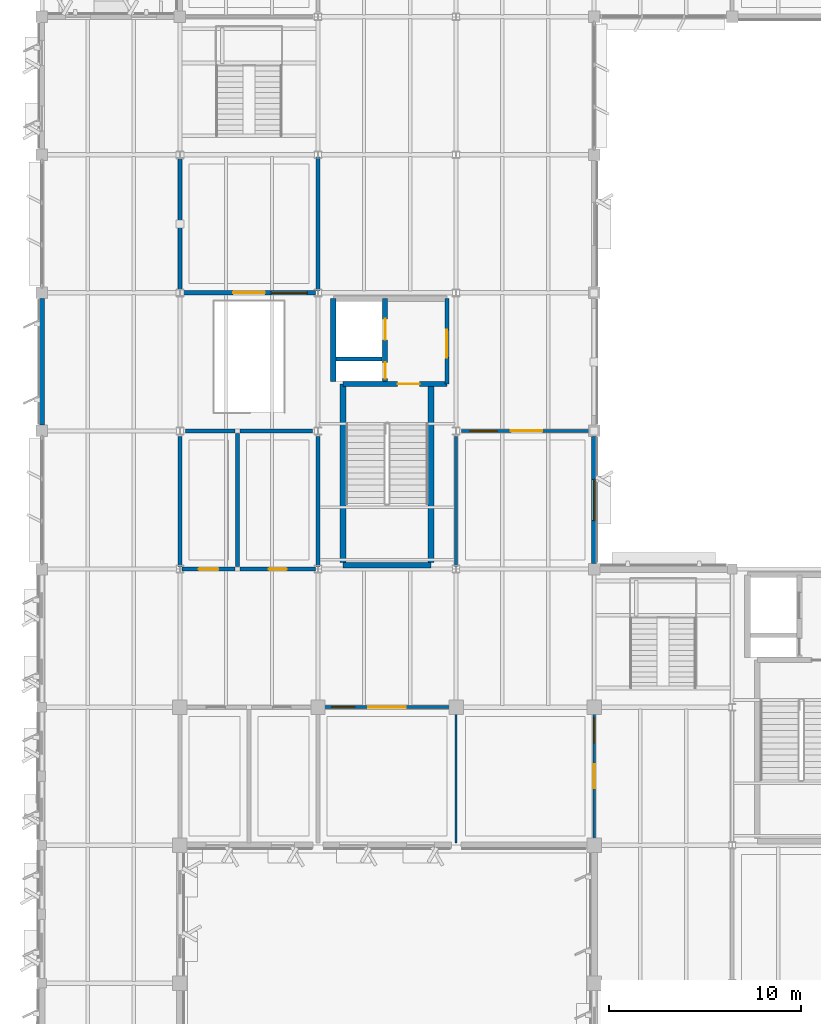
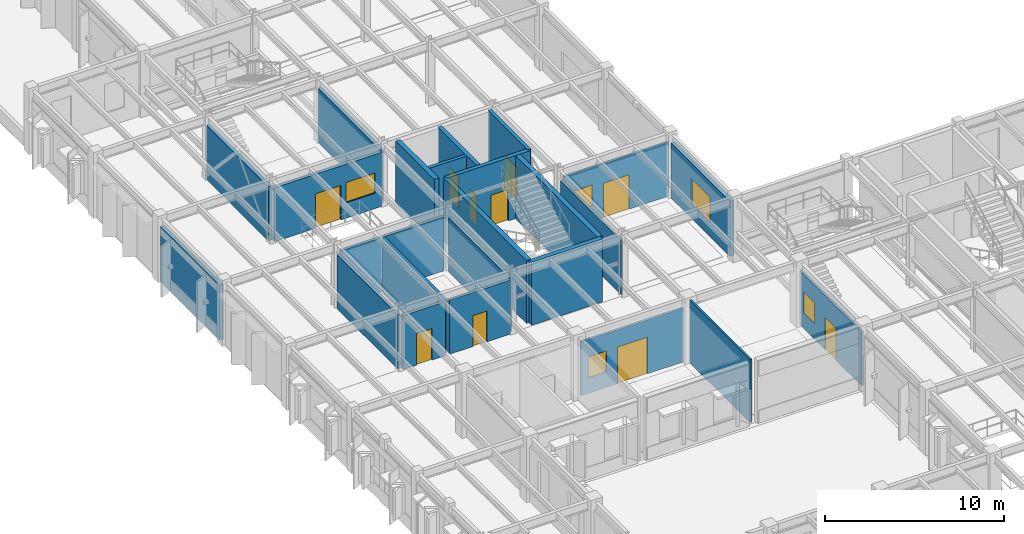
# One storey, part 33 of 92: 25 walls, 10 doors, 5 windows, 15 openings.
"""IFC4 building model written with IfcOpenShell, lengths in metres."""

from ifc_helpers import new_model, si_unit, direction, frame, frame_2d, origin, place, context, subcontext, project, spatial, rectangle, extrude, material, layer, layer_set, type_object, element, fill, save


model = new_model("IFC4")

# Units and contexts
model_context = context("Model", 3, precision=1e-05, world=origin(), true_north=direction((0.0, 1.0)))
body_context = subcontext(model_context, "Body", "Model", "MODEL_VIEW")
ifc_project = project(units=[si_unit("LENGTHUNIT", "METRE"), si_unit("AREAUNIT", "SQUARE_METRE"), si_unit("VOLUMEUNIT", "CUBIC_METRE"), si_unit("PLANEANGLEUNIT", "RADIAN"), si_unit("MASSUNIT", "GRAM", prefix="KILO")], contexts=[model_context])

# Site, building, storey
site_placement = place(None, origin())
site = spatial("IfcSite", under=ifc_project, at=site_placement, CompositionType="ELEMENT")
building_placement = place(site_placement, origin())
building = spatial("IfcBuilding", under=site, at=building_placement, Name="Sillqori Civic Hall", CompositionType="ELEMENT")
storey_placement = place(building_placement, frame((0.0, 0.0, 5.39990234375)))
storey = spatial("IfcBuildingStorey", under=building, at=storey_placement, Name="L02", CompositionType="ELEMENT", Elevation=5.39990234375)

# Wall
ifc_material_1 = material(Name="Concrete C35/45 (H35)", Category="concrete")
ifc_layer_1 = layer(ifc_material_1, 0.219970703125)
ifc_layer_set_1 = layer_set([ifc_layer_1], Name="Concrete C35/45 (H35)")
wall_type_1 = type_object("IfcWallType", Name="CW-SHR-220", PredefinedType="SHEAR", material=ifc_layer_set_1)
wall_1_placement = place(storey_placement, frame((22.550048828125, 61.35009765625, 0.0), z_axis=(0.0, 0.0, 1.0), x_axis=(1.0, 0.0, 0.0)))
element("IfcWall", 1, at=wall_1_placement, inside=storey, type_object=wall_type_1, Name="L02 C4 Lift-riser divider wall", PredefinedType="SHEAR", context=body_context, shape_type="SweptSolid", body=[
    extrude(rectangle(XDim=2.39990234375, YDim=0.219970703125, at=frame_2d((1.199951171875, 0.0))), origin(), (0.0, 0.0, 1.0), 4.300048828125),
])

# Wall, opening, door
wall_2_placement = place(storey_placement, frame((28.320068359375, 64.5, 0.0), z_axis=(0.0, 0.0, 1.0), x_axis=(0.0, -1.0, 0.0)))
wall_2 = element("IfcWall", 2, at=wall_2_placement, inside=storey, type_object=wall_type_1, Name="L02 C4 firefighting lobby enclosure wall", PredefinedType="SHEAR", context=body_context, shape_type="SweptSolid", body=[
    extrude(rectangle(XDim=4.449951171875, YDim=0.219970703125, at=frame_2d((2.22509765625, 0.0))), origin(), (0.0, 0.0, 1.0), 4.300048828125),
])
opening_1_placement = place(wall_2_placement, frame((1.625, 0.0, 0.0)))
opening_1 = element("IfcOpeningElement", 3, at=opening_1_placement, cuts=wall_2, Name="Opening FD-03", PredefinedType="OPENING", context=body_context, shape_type="SweptSolid", body=[
    extrude(rectangle(XDim=1.449951171875, YDim=2.199951171875, at=frame_2d((0.72509765625, 1.10009765625))), frame((0.0, 0.119873046875, 0.0), z_axis=(0.0, -1.0, 0.0), x_axis=(1.0, 0.0, 0.0)), (0.0, 0.0, 1.0), 0.239990234375),
])
ifc_material_2 = material(Name="Double-Leaf Smoke-Seal Lobby Door", Category="steel")
door_type_1 = type_object("IfcDoorType", Name="FDR-LOB-145X220", OperationType="NOTDEFINED", PredefinedType="DOOR", material=ifc_material_2)
door_1_placement = place(opening_1_placement, origin())
door_1 = element("IfcDoor", 4, at=door_1_placement, inside=storey, type_object=door_type_1, Name="L02 C4 firefighting lobby exit door", OperationType="DOUBLE_DOOR_SINGLE_SWING", OverallHeight=2.199951171875, OverallWidth=1.449951171875, PredefinedType="DOOR", context=body_context, shape_type="SweptSolid", body=[
    extrude(rectangle(XDim=1.449951171875, YDim=2.199951171875, at=frame_2d((0.72509765625, 1.10009765625))), frame((0.0, 0.02490234375, 0.0), z_axis=(0.0, -1.0, 0.0), x_axis=(1.0, 0.0, 0.0)), (0.0, 0.0, 1.0), 0.050048828125),
])
fill(opening_1, door_1)

ifc_layer_2 = layer(ifc_material_1, 0.260009765625)
ifc_layer_set_2 = layer_set([ifc_layer_2], Name="Concrete C35/45 (H35)")
wall_type_2 = type_object("IfcWallType", Name="CW-SHR-260", PredefinedType="SHEAR", material=ifc_layer_set_2)
wall_3_placement = place(storey_placement, frame((22.909912109375, 60.050048828125, 0.0), z_axis=(0.0, 0.0, 1.0), x_axis=(1.0, 0.0, 0.0)))
wall_3 = element("IfcWall", 5, at=wall_3_placement, inside=storey, type_object=wall_type_2, Name="L02 C4 Stair-lobby fire wall", PredefinedType="SHEAR", context=body_context, shape_type="SweptSolid", body=[
    extrude(rectangle(XDim=5.41015625, YDim=0.260009765625, at=frame_2d((2.705078125, 0.0))), origin(), (0.0, 0.0, 1.0), 4.300048828125),
])
opening_2_placement = place(wall_3_placement, frame((2.840087890625, 0.0, 0.0)))
opening_2 = element("IfcOpeningElement", 6, at=opening_2_placement, cuts=wall_3, Name="Opening FD-01", PredefinedType="OPENING", context=body_context, shape_type="SweptSolid", body=[
    extrude(rectangle(XDim=1.14990234375, YDim=2.14990234375, at=frame_2d((0.574951171875, 1.074951171875))), frame((0.0, 0.139892578125, 0.0), z_axis=(0.0, -1.0, 0.0), x_axis=(1.0, 0.0, 0.0)), (0.0, 0.0, 1.0), 0.280029296875),
])
ifc_material_3 = material(Name="Galvanized Steel Fire Door FD90S", Category="steel")
door_type_2 = type_object("IfcDoorType", Name="FDR-STR-115X215", OperationType="NOTDEFINED", PredefinedType="DOOR", material=ifc_material_3)
door_2_placement = place(opening_2_placement, origin())
door_2 = element("IfcDoor", 7, at=door_2_placement, inside=storey, type_object=door_type_2, Name="L02 stair ST-04 fire door", OperationType="SINGLE_SWING_RIGHT", OverallHeight=2.14990234375, OverallWidth=1.14990234375, PredefinedType="DOOR", context=body_context, shape_type="SweptSolid", body=[
    extrude(rectangle(XDim=1.14990234375, YDim=2.14990234375, at=frame_2d((0.574951171875, 1.074951171875))), frame((0.0, 0.02490234375, 0.0), z_axis=(0.0, -1.0, 0.0), x_axis=(1.0, 0.0, 0.0)), (0.0, 0.0, 1.0), 0.050048828125),
])
fill(opening_2, door_2)

# Wall, openings, doors
wall_4_placement = place(storey_placement, frame((25.10009765625, 64.5, 0.0), z_axis=(0.0, 0.0, 1.0), x_axis=(0.0, -1.0, 0.0)))
wall_4 = element("IfcWall", 8, at=wall_4_placement, inside=storey, type_object=wall_type_2, Name="L02 C4 Lift landing & riser front wall", PredefinedType="SHEAR", context=body_context, shape_type="SweptSolid", body=[
    extrude(rectangle(XDim=4.320068359375, YDim=0.260009765625, at=frame_2d((2.16015625, 0.0))), origin(), (0.0, 0.0, 1.0), 4.300048828125),
])
opening_3_placement = place(wall_4_placement, frame((1.050048828125, 0.0, 0.0)))
opening_3 = element("IfcOpeningElement", 9, at=opening_3_placement, cuts=wall_4, Name="Opening LD-01", PredefinedType="OPENING", context=body_context, shape_type="SweptSolid", body=[
    extrude(rectangle(XDim=1.10009765625, YDim=2.14990234375, at=frame_2d((0.550048828125, 1.074951171875))), frame((0.0, 0.139892578125, 0.0), z_axis=(0.0, -1.0, 0.0), x_axis=(1.0, 0.0, 0.0)), (0.0, 0.0, 1.0), 0.280029296875),
])
opening_4_placement = place(wall_4_placement, frame((3.324951171875, 0.0, 0.0)))
opening_4 = element("IfcOpeningElement", 10, at=opening_4_placement, cuts=wall_4, Name="Opening FD-05", PredefinedType="OPENING", context=body_context, shape_type="SweptSolid", body=[
    extrude(rectangle(XDim=0.85009765625, YDim=2.050048828125, at=frame_2d((0.425048828125, 1.02490234375))), frame((0.0, 0.139892578125, 0.0), z_axis=(0.0, -1.0, 0.0), x_axis=(1.0, 0.0, 0.0)), (0.0, 0.0, 1.0), 0.280029296875),
])
ifc_material_4 = material(Name="Steel Riser Access Fire Door", Category="steel")
door_type_3 = type_object("IfcDoorType", Name="FDR-RSR-085X205", OperationType="NOTDEFINED", PredefinedType="DOOR", material=ifc_material_4)
door_3_placement = place(opening_4_placement, origin())
door_3 = element("IfcDoor", 11, at=door_3_placement, inside=storey, type_object=door_type_3, Name="L02 MEP riser C4 fire access door", OperationType="SINGLE_SWING_LEFT", OverallHeight=2.050048828125, OverallWidth=0.85009765625, PredefinedType="DOOR", context=body_context, shape_type="SweptSolid", body=[
    extrude(rectangle(XDim=0.85009765625, YDim=2.050048828125, at=frame_2d((0.425048828125, 1.02490234375))), frame((0.0, 0.02490234375, 0.0), z_axis=(0.0, -1.0, 0.0), x_axis=(1.0, 0.0, 0.0)), (0.0, 0.0, 1.0), 0.050048828125),
])
fill(opening_4, door_3)
ifc_material_5 = material(Name="Stainless Steel Lift Landing Door", Category="steel")
door_type_4 = type_object("IfcDoorType", Name="LDR-PASS-110X215", OperationType="NOTDEFINED", PredefinedType="DOOR", material=ifc_material_5)
door_4_placement = place(opening_3_placement, origin())
door_4 = element("IfcDoor", 12, at=door_4_placement, inside=storey, type_object=door_type_4, Name="L02 lift LF-06 sliding landing door", OperationType="DOUBLE_DOOR_SLIDING", OverallHeight=2.14990234375, OverallWidth=1.10009765625, PredefinedType="DOOR", context=body_context, shape_type="SweptSolid", body=[
    extrude(rectangle(XDim=1.10009765625, YDim=2.14990234375, at=frame_2d((0.550048828125, 1.074951171875))), frame((0.0, 0.02490234375, 0.0), z_axis=(0.0, -1.0, 0.0), x_axis=(1.0, 0.0, 0.0)), (0.0, 0.0, 1.0), 0.050048828125),
])
fill(opening_3, door_4)

# Walls
ifc_layer_3 = layer(ifc_material_1, 0.300048828125)
ifc_layer_set_3 = layer_set([ifc_layer_3], Name="Concrete C35/45 (H35)")
wall_type_3 = type_object("IfcWallType", Name="CW-SHR-300", PredefinedType="SHEAR", material=ifc_layer_set_3)
wall_5_placement = place(storey_placement, frame((22.909912109375, 50.60009765625, 0.0), z_axis=(0.0, 0.0, 1.0), x_axis=(1.0, 0.0, 0.0)))
element("IfcWall", 13, at=wall_5_placement, inside=storey, type_object=wall_type_3, Name="L02 C4 Stair south shear wall", PredefinedType="SHEAR", context=body_context, shape_type="SweptSolid", body=[
    extrude(rectangle(XDim=4.580078125, YDim=0.300048828125, at=frame_2d((2.2900390625, 0.0))), origin(), (0.0, 0.0, 1.0), 4.300048828125),
])
for number, where, z_axis, x_axis, name in (
    (14, (22.909912109375, 50.75, 0.0), (0.0, 0.0, 1.0), (0.0, 1.0, 0.0), "L02 C4 Stair west shear wall"),
    (15, (27.489990234375, 50.75, 0.0), (0.0, 0.0, 1.0), (0.0, 1.0, 0.0), "L02 C4 Stair east shear wall"),
):
    element("IfcWall", number, at=place(storey_placement, frame(where, z_axis=z_axis, x_axis=x_axis)), inside=storey, type_object=wall_type_3, Name=name, PredefinedType="SHEAR", context=body_context, shape_type="SweptSolid", body=[
        extrude(rectangle(XDim=9.300048828125, YDim=0.300048828125, at=frame_2d((4.64990234375, 0.0))), origin(), (0.0, 0.0, 1.0), 4.300048828125),
    ])
wall_6_placement = place(storey_placement, frame((22.39990234375, 60.179931640625, 0.0), z_axis=(0.0, 0.0, 1.0), x_axis=(0.0, 1.0, 0.0)))
element("IfcWall", 16, at=wall_6_placement, inside=storey, type_object=wall_type_3, Name="L02 C4 Lift shaft west shear wall", PredefinedType="SHEAR", context=body_context, shape_type="SweptSolid", body=[
    extrude(rectangle(XDim=4.320068359375, YDim=0.300048828125, at=frame_2d((2.16015625, 0.0))), origin(), (0.0, 0.0, 1.0), 4.300048828125),
])
ifc_material_6 = material(Name="Concrete C30/37 (H30)", Category="concrete")
ifc_layer_4 = layer(ifc_material_6, 0.260009765625)
ifc_layer_set_4 = layer_set([ifc_layer_4], Name="Concrete C30/37 (H30)")
wall_type_4 = type_object("IfcWallType", Name="EW-MAS-260", PredefinedType="SOLIDWALL", material=ifc_layer_set_4)
wall_7_placement = place(storey_placement, frame((7.199951171875, 57.89990234375, 0.0), z_axis=(0.0, 0.0, 1.0), x_axis=(0.0, 1.0, 0.0)))
element("IfcWall", 17, at=wall_7_placement, inside=storey, type_object=wall_type_4, Name="L02 V5 exterior wall L02-01-08-W", PredefinedType="SOLIDWALL", context=body_context, shape_type="SweptSolid", body=[
    extrude(rectangle(XDim=6.60009765625, YDim=0.260009765625, at=frame_2d((3.300048828125, 0.0))), origin(), (0.0, 0.0, 1.0), 3.76708984375),
])

# Wall, opening, window
wall_8_placement = place(storey_placement, frame((36.0, 57.300048828125, 0.0), z_axis=(0.0, 0.0, 1.0), x_axis=(0.0, -1.0, 0.0)))
wall_8 = element("IfcWall", 18, at=wall_8_placement, inside=storey, type_object=wall_type_4, Name="L02 V5 exterior wall L02-04-07-E", PredefinedType="SOLIDWALL", context=body_context, shape_type="SweptSolid", body=[
    extrude(rectangle(XDim=6.60009765625, YDim=0.260009765625, at=frame_2d((3.300048828125, 0.0))), origin(), (0.0, 0.0, 1.0), 3.76708984375),
])
opening_5_placement = place(wall_8_placement, frame((2.22509765625, 0.0, 0.949951171875)))
opening_5 = element("IfcOpeningElement", 19, at=opening_5_placement, cuts=wall_8, Name="Opening W-50", PredefinedType="OPENING", context=body_context, shape_type="SweptSolid", body=[
    extrude(rectangle(XDim=2.14990234375, YDim=1.75, at=frame_2d((1.074951171875, 0.875))), frame((0.0, 0.139892578125, 0.0), z_axis=(0.0, -1.0, 0.0), x_axis=(1.0, 0.0, 0.0)), (0.0, 0.0, 1.0), 0.280029296875),
])
ifc_material_7 = material(Name="Thermally Broken Aluminium Low-E Window", Category="aluminium")
window_type_1 = type_object("IfcWindowType", Name="WIN-GD-215X175", PartitioningType="SINGLE_PANEL", PredefinedType="WINDOW", material=ifc_material_7)
window_1_placement = place(opening_5_placement, origin())
window_1 = element("IfcWindow", 20, at=window_1_placement, inside=storey, type_object=window_type_1, Name="L02 V5 window L02-04-07-E.1", OverallHeight=1.75, OverallWidth=2.14990234375, PartitioningType="SINGLE_PANEL", PredefinedType="WINDOW", context=body_context, shape_type="SweptSolid", body=[
    extrude(rectangle(XDim=2.14990234375, YDim=1.75, at=frame_2d((1.074951171875, 0.875))), frame((0.0, 0.030029296875, 0.0), z_axis=(0.0, -1.0, 0.0), x_axis=(1.0, 0.0, 0.0)), (0.0, 0.0, 1.0), 0.06005859375),
])
fill(opening_5, window_1)

# Wall
ifc_material_8 = material(Name="Acoustic Steel-Stud Gypsum Partition 112", Category="steel")
ifc_layer_5 = layer(ifc_material_8, 0.112060546875)
ifc_layer_set_5 = layer_set([ifc_layer_5], Name="Acoustic Steel-Stud Gypsum Partition 112")
wall_type_5 = type_object("IfcWallType", Name="PT-GYP-112", PredefinedType="PARTITIONING", material=ifc_layer_set_5)
wall_9_placement = place(storey_placement, frame((28.800048828125, 42.919921875, 0.0), z_axis=(0.0, 0.0, 1.0), x_axis=(0.0, -1.0, 0.0)))
element("IfcWall", 21, at=wall_9_placement, inside=storey, type_object=wall_type_5, Name="Council Public Gallery Tier partition E3", PredefinedType="PARTITIONING", context=body_context, shape_type="SweptSolid", body=[
    extrude(rectangle(XDim=6.7998046875, YDim=0.112060546875, at=frame_2d((3.39990234375, 0.0))), origin(), (0.0, 0.0, 1.0), 4.300048828125),
])

# Wall, openings, door, window
ifc_material_9 = material(Name="Double-Board Acoustic Partition 125", Category="gypsum")
ifc_layer_6 = layer(ifc_material_9, 0.125)
ifc_layer_set_6 = layer_set([ifc_layer_6], Name="Double-Board Acoustic Partition 125")
wall_type_6 = type_object("IfcWallType", Name="PT-GYP-125", PredefinedType="PARTITIONING", material=ifc_layer_set_6)
wall_10_placement = place(storey_placement, frame((36.0, 43.080078125, 0.0), z_axis=(0.0, 0.0, 1.0), x_axis=(0.0, -1.0, 0.0)))
wall_10 = element("IfcWall", 22, at=wall_10_placement, inside=storey, type_object=wall_type_6, Name="Simultaneous Interpretation Booth Suite partition E3", PredefinedType="PARTITIONING", context=body_context, shape_type="SweptSolid", body=[
    extrude(rectangle(XDim=6.9599609375, YDim=0.125, at=frame_2d((3.47998046875, 0.0))), origin(), (0.0, 0.0, 1.0), 3.68798828125),
])
opening_6_placement = place(wall_10_placement, frame((2.860107421875, 0.0, 0.0)))
opening_6 = element("IfcOpeningElement", 23, at=opening_6_placement, cuts=wall_10, Name="Opening ID-30", PredefinedType="OPENING", context=body_context, shape_type="SweptSolid", body=[
    extrude(rectangle(XDim=1.239990234375, YDim=2.219970703125, at=frame_2d((0.6201171875, 1.10986328125))), frame((0.0, 0.072509765625, 0.0), z_axis=(0.0, -1.0, 0.0), x_axis=(1.0, 0.0, 0.0)), (0.0, 0.0, 1.0), 0.14501953125),
])
opening_7_placement = place(wall_10_placement, frame((0.449951171875, 0.0, 1.050048828125)))
opening_7 = element("IfcOpeningElement", 24, at=opening_7_placement, cuts=wall_10, Name="Opening IW-47", PredefinedType="OPENING", context=body_context, shape_type="SweptSolid", body=[
    extrude(rectangle(XDim=1.280029296875, YDim=1.43994140625, at=frame_2d((0.64013671875, 0.719970703125))), frame((0.0, 0.072509765625, 0.0), z_axis=(0.0, -1.0, 0.0), x_axis=(1.0, 0.0, 0.0)), (0.0, 0.0, 1.0), 0.14501953125),
])
ifc_material_10 = material(Name="Registry Leaf-and-Half Door 1240", Category="timber")
door_type_5 = type_object("IfcDoorType", Name="IDR-DIR-124X222", OperationType="NOTDEFINED", PredefinedType="DOOR", material=ifc_material_10)
door_5_placement = place(opening_6_placement, origin())
door_5 = element("IfcDoor", 25, at=door_5_placement, inside=storey, type_object=door_type_5, Name="Simultaneous Interpretation Booth Suite entrance door", OperationType="SINGLE_SWING_LEFT", OverallHeight=2.219970703125, OverallWidth=1.239990234375, PredefinedType="DOOR", context=body_context, shape_type="SweptSolid", body=[
    extrude(rectangle(XDim=1.239990234375, YDim=2.219970703125, at=frame_2d((0.6201171875, 1.10986328125))), frame((0.0, 0.02490234375, 0.0), z_axis=(0.0, -1.0, 0.0), x_axis=(1.0, 0.0, 0.0)), (0.0, 0.0, 1.0), 0.050048828125),
])
fill(opening_6, door_5)
ifc_material_11 = material(Name="Acoustic Laminated Interior Clerestory Glazing", Category="glass")
window_type_2 = type_object("IfcWindowType", Name="IWN-GAL-128X144", PartitioningType="SINGLE_PANEL", PredefinedType="WINDOW", material=ifc_material_11)
window_2_placement = place(opening_7_placement, origin())
window_2 = element("IfcWindow", 26, at=window_2_placement, inside=storey, type_object=window_type_2, Name="Simultaneous Interpretation Booth Suite borrowed-light screen", OverallHeight=1.43994140625, OverallWidth=1.280029296875, PartitioningType="SINGLE_PANEL", PredefinedType="WINDOW", context=body_context, shape_type="SweptSolid", body=[
    extrude(rectangle(XDim=1.280029296875, YDim=1.43994140625, at=frame_2d((0.64013671875, 0.719970703125))), frame((0.0, 0.030029296875, 0.0), z_axis=(0.0, -1.0, 0.0), x_axis=(1.0, 0.0, 0.0)), (0.0, 0.0, 1.0), 0.06005859375),
])
fill(opening_7, window_2)

ifc_material_12 = material(Name="Double-Board Acoustic Partition 138", Category="gypsum")
ifc_layer_7 = layer(ifc_material_12, 0.137939453125)
ifc_layer_set_7 = layer_set([ifc_layer_7], Name="Double-Board Acoustic Partition 138")
wall_type_7 = type_object("IfcWallType", Name="PT-GYP-138", PredefinedType="PARTITIONING", material=ifc_layer_set_7)
wall_11_placement = place(storey_placement, frame((29.080078125, 57.60009765625, 0.0), z_axis=(0.0, 0.0, 1.0), x_axis=(1.0, 0.0, 0.0)))
wall_11 = element("IfcWall", 27, at=wall_11_placement, inside=storey, type_object=wall_type_7, Name="Standing Committee Room Alalay partition N2", PredefinedType="PARTITIONING", context=body_context, shape_type="SweptSolid", body=[
    extrude(rectangle(XDim=6.7998046875, YDim=0.137939453125, at=frame_2d((3.39990234375, 0.0))), origin(), (0.0, 0.0, 1.0), 3.68798828125),
])
opening_8_placement = place(wall_11_placement, frame((2.574951171875, 0.0, 0.0)))
opening_8 = element("IfcOpeningElement", 28, at=opening_8_placement, cuts=wall_11, Name="Opening ID-04", PredefinedType="OPENING", context=body_context, shape_type="SweptSolid", body=[
    extrude(rectangle(XDim=1.64990234375, YDim=2.35009765625, at=frame_2d((0.824951171875, 1.175048828125))), frame((0.0, 0.078857421875, 0.0), z_axis=(0.0, -1.0, 0.0), x_axis=(1.0, 0.0, 0.0)), (0.0, 0.0, 1.0), 0.157958984375),
])
opening_9_placement = place(wall_11_placement, frame((0.449951171875, 0.0, 1.050048828125)))
opening_9 = element("IfcOpeningElement", 29, at=opening_9_placement, cuts=wall_11, Name="Opening IW-48", PredefinedType="OPENING", context=body_context, shape_type="SweptSolid", body=[
    extrude(rectangle(XDim=1.3798828125, YDim=1.43994140625, at=frame_2d((0.68994140625, 0.719970703125))), frame((0.0, 0.078857421875, 0.0), z_axis=(0.0, -1.0, 0.0), x_axis=(1.0, 0.0, 0.0)), (0.0, 0.0, 1.0), 0.157958984375),
])
ifc_material_13 = material(Name="Caucus Salon Acoustic Double Door", Category="timber")
door_type_6 = type_object("IfcDoorType", Name="IDR-COM-165X235", OperationType="NOTDEFINED", PredefinedType="DOOR", material=ifc_material_13)
door_6_placement = place(opening_8_placement, origin())
door_6 = element("IfcDoor", 30, at=door_6_placement, inside=storey, type_object=door_type_6, Name="Standing Committee Room Alalay entrance door", OperationType="DOUBLE_DOOR_SINGLE_SWING", OverallHeight=2.35009765625, OverallWidth=1.64990234375, PredefinedType="DOOR", context=body_context, shape_type="SweptSolid", body=[
    extrude(rectangle(XDim=1.64990234375, YDim=2.35009765625, at=frame_2d((0.824951171875, 1.175048828125))), frame((0.0, 0.02490234375, 0.0), z_axis=(0.0, -1.0, 0.0), x_axis=(1.0, 0.0, 0.0)), (0.0, 0.0, 1.0), 0.050048828125),
])
fill(opening_8, door_6)
window_type_3 = type_object("IfcWindowType", Name="IWN-GAL-138X144", PartitioningType="SINGLE_PANEL", PredefinedType="WINDOW", material=ifc_material_11)
window_3_placement = place(opening_9_placement, origin())
window_3 = element("IfcWindow", 31, at=window_3_placement, inside=storey, type_object=window_type_3, Name="Standing Committee Room Alalay borrowed-light screen", OverallHeight=1.43994140625, OverallWidth=1.3798828125, PartitioningType="SINGLE_PANEL", PredefinedType="WINDOW", context=body_context, shape_type="SweptSolid", body=[
    extrude(rectangle(XDim=1.3798828125, YDim=1.43994140625, at=frame_2d((0.68994140625, 0.719970703125))), frame((0.0, 0.030029296875, 0.0), z_axis=(0.0, -1.0, 0.0), x_axis=(1.0, 0.0, 0.0)), (0.0, 0.0, 1.0), 0.06005859375),
])
fill(opening_9, window_3)

# Wall
wall_12_placement = place(storey_placement, frame((28.800048828125, 50.52001953125, 0.0), z_axis=(0.0, 0.0, 1.0), x_axis=(0.0, 1.0, 0.0)))
element("IfcWall", 32, at=wall_12_placement, inside=storey, type_object=wall_type_7, Name="Standing Committee Room Alalay partition W3", PredefinedType="PARTITIONING", context=body_context, shape_type="SweptSolid", body=[
    extrude(rectangle(XDim=6.800048828125, YDim=0.137939453125, at=frame_2d((3.39990234375, 0.0))), origin(), (0.0, 0.0, 1.0), 3.68798828125),
])

# Wall, openings, door, window
ifc_material_14 = material(Name="Corridor Fire-Rated Partition 150", Category="gypsum")
ifc_layer_8 = layer(ifc_material_14, 0.14990234375)
ifc_layer_set_8 = layer_set([ifc_layer_8], Name="Corridor Fire-Rated Partition 150")
wall_type_8 = type_object("IfcWallType", Name="PT-GYP-150", PredefinedType="PARTITIONING", material=ifc_layer_set_8)
wall_13_placement = place(storey_placement, frame((21.8798828125, 43.199951171875, 0.0), z_axis=(0.0, 0.0, 1.0), x_axis=(1.0, 0.0, 0.0)))
wall_13 = element("IfcWall", 33, at=wall_13_placement, inside=storey, type_object=wall_type_8, Name="Council Public Gallery Tier partition N1", PredefinedType="PARTITIONING", context=body_context, shape_type="SweptSolid", body=[
    extrude(rectangle(XDim=6.64013671875, YDim=0.14990234375, at=frame_2d((3.320068359375, 0.0))), origin(), (0.0, 0.0, 1.0), 3.68798828125),
])
opening_10_placement = place(wall_13_placement, frame((2.344970703125, 0.0, 0.0)))
opening_10 = element("IfcOpeningElement", 34, at=opening_10_placement, cuts=wall_13, Name="Opening ID-02", PredefinedType="OPENING", context=body_context, shape_type="SweptSolid", body=[
    extrude(rectangle(XDim=1.949951171875, YDim=2.5, at=frame_2d((0.97509765625, 1.25))), frame((0.0, 0.0849609375, 0.0), z_axis=(0.0, -1.0, 0.0), x_axis=(1.0, 0.0, 0.0)), (0.0, 0.0, 1.0), 0.169921875),
])
opening_11_placement = place(wall_13_placement, frame((0.449951171875, 0.0, 1.050048828125)))
opening_11 = element("IfcOpeningElement", 35, at=opening_11_placement, cuts=wall_13, Name="Opening IW-46", PredefinedType="OPENING", context=body_context, shape_type="SweptSolid", body=[
    extrude(rectangle(XDim=1.179931640625, YDim=1.43994140625, at=frame_2d((0.58984375, 0.719970703125))), frame((0.0, 0.0849609375, 0.0), z_axis=(0.0, -1.0, 0.0), x_axis=(1.0, 0.0, 0.0)), (0.0, 0.0, 1.0), 0.169921875),
])
ifc_material_15 = material(Name="Public Gallery Acoustic Double Door", Category="timber")
door_type_7 = type_object("IfcDoorType", Name="IDR-CHM-195X250", OperationType="NOTDEFINED", PredefinedType="DOOR", material=ifc_material_15)
door_7_placement = place(opening_10_placement, origin())
door_7 = element("IfcDoor", 36, at=door_7_placement, inside=storey, type_object=door_type_7, Name="Council Public Gallery Tier entrance door", OperationType="DOUBLE_DOOR_SINGLE_SWING", OverallHeight=2.5, OverallWidth=1.949951171875, PredefinedType="DOOR", context=body_context, shape_type="SweptSolid", body=[
    extrude(rectangle(XDim=1.949951171875, YDim=2.5, at=frame_2d((0.97509765625, 1.25))), frame((0.0, 0.02490234375, 0.0), z_axis=(0.0, -1.0, 0.0), x_axis=(1.0, 0.0, 0.0)), (0.0, 0.0, 1.0), 0.050048828125),
])
fill(opening_10, door_7)
window_type_4 = type_object("IfcWindowType", Name="IWN-GAL-118X144", PartitioningType="SINGLE_PANEL", PredefinedType="WINDOW", material=ifc_material_11)
window_4_placement = place(opening_11_placement, origin())
window_4 = element("IfcWindow", 37, at=window_4_placement, inside=storey, type_object=window_type_4, Name="Council Public Gallery Tier borrowed-light screen", OverallHeight=1.43994140625, OverallWidth=1.179931640625, PartitioningType="SINGLE_PANEL", PredefinedType="WINDOW", context=body_context, shape_type="SweptSolid", body=[
    extrude(rectangle(XDim=1.179931640625, YDim=1.43994140625, at=frame_2d((0.58984375, 0.719970703125))), frame((0.0, 0.030029296875, 0.0), z_axis=(0.0, -1.0, 0.0), x_axis=(1.0, 0.0, 0.0)), (0.0, 0.0, 1.0), 0.06005859375),
])
fill(opening_11, window_4)

# Wall, opening, door
ifc_material_16 = material(Name="Concrete C25/30 (H25)", Category="concrete")
ifc_layer_9 = layer(ifc_material_16, 0.18994140625)
ifc_layer_set_9 = layer_set([ifc_layer_9], Name="Concrete C25/30 (H25)")
wall_type_9 = type_object("IfcWallType", Name="PT-MAS-190", PredefinedType="PARTITIONING", material=ifc_layer_set_9)
wall_14_placement = place(storey_placement, frame((17.280029296875, 50.39990234375, 0.0), z_axis=(0.0, 0.0, 1.0), x_axis=(-1.0, 0.0, 0.0)))
wall_14 = element("IfcWall", 38, at=wall_14_placement, inside=storey, type_object=wall_type_9, Name="L02 Accessible WC partition S1", PredefinedType="PARTITIONING", context=body_context, shape_type="SweptSolid", body=[
    extrude(rectangle(XDim=2.760009765625, YDim=0.18994140625, at=frame_2d((1.3798828125, 0.0))), origin(), (0.0, 0.0, 1.0), 3.68798828125),
])
opening_12_placement = place(wall_14_placement, frame((0.8701171875, 0.0, 0.0)))
opening_12 = element("IfcOpeningElement", 39, at=opening_12_placement, cuts=wall_14, Name="Opening ID-21", PredefinedType="OPENING", context=body_context, shape_type="SweptSolid", body=[
    extrude(rectangle(XDim=1.02001953125, YDim=2.14990234375, at=frame_2d((0.510009765625, 1.074951171875))), frame((0.0, 0.10498046875, 0.0), z_axis=(0.0, -1.0, 0.0), x_axis=(1.0, 0.0, 0.0)), (0.0, 0.0, 1.0), 0.2099609375),
])
ifc_material_17 = material(Name="Accessible WC Outward-Clear Door", Category="timber")
door_type_8 = type_object("IfcDoorType", Name="IDR-AWC-102X215", OperationType="NOTDEFINED", PredefinedType="DOOR", material=ifc_material_17)
door_8_placement = place(opening_12_placement, origin())
door_8 = element("IfcDoor", 40, at=door_8_placement, inside=storey, type_object=door_type_8, Name="L02 Accessible WC entrance door", OperationType="SINGLE_SWING_RIGHT", OverallHeight=2.14990234375, OverallWidth=1.02001953125, PredefinedType="DOOR", context=body_context, shape_type="SweptSolid", body=[
    extrude(rectangle(XDim=1.02001953125, YDim=2.14990234375, at=frame_2d((0.510009765625, 1.074951171875))), frame((0.0, 0.02490234375, 0.0), z_axis=(0.0, -1.0, 0.0), x_axis=(1.0, 0.0, 0.0)), (0.0, 0.0, 1.0), 0.050048828125),
])
fill(opening_12, door_8)

# Walls
wall_15_placement = place(storey_placement, frame((14.679931640625, 57.60009765625, 0.0), z_axis=(0.0, 0.0, 1.0), x_axis=(1.0, 0.0, 0.0)))
element("IfcWall", 41, at=wall_15_placement, inside=storey, type_object=wall_type_9, Name="L02 Accessible WC partition N2", PredefinedType="PARTITIONING", context=body_context, shape_type="SweptSolid", body=[
    extrude(rectangle(XDim=2.60009765625, YDim=0.18994140625, at=frame_2d((1.300048828125, 0.0))), origin(), (0.0, 0.0, 1.0), 3.68798828125),
])
wall_16_placement = place(storey_placement, frame((14.39990234375, 50.52001953125, 0.0), z_axis=(0.0, 0.0, 1.0), x_axis=(0.0, 1.0, 0.0)))
element("IfcWall", 42, at=wall_16_placement, inside=storey, type_object=wall_type_9, Name="L02 Accessible WC partition W3", PredefinedType="PARTITIONING", context=body_context, shape_type="SweptSolid", body=[
    extrude(rectangle(XDim=6.800048828125, YDim=0.18994140625, at=frame_2d((3.39990234375, 0.0))), origin(), (0.0, 0.0, 1.0), 3.68798828125),
])
wall_17_placement = place(storey_placement, frame((17.39990234375, 57.47998046875, 0.0), z_axis=(0.0, 0.0, 1.0), x_axis=(0.0, -1.0, 0.0)))
element("IfcWall", 43, at=wall_17_placement, inside=storey, type_object=wall_type_9, Name="L02 Accessible WC partition E4", PredefinedType="PARTITIONING", context=body_context, shape_type="SweptSolid", body=[
    extrude(rectangle(XDim=6.9599609375, YDim=0.18994140625, at=frame_2d((3.47998046875, 0.0))), origin(), (0.0, 0.0, 1.0), 3.68798828125),
])

# Wall, opening, door
wall_18_placement = place(storey_placement, frame((21.47998046875, 50.39990234375, 0.0), z_axis=(0.0, 0.0, 1.0), x_axis=(-1.0, 0.0, 0.0)))
wall_18 = element("IfcWall", 44, at=wall_18_placement, inside=storey, type_object=wall_type_9, Name="L02 Staff Sanitary and Cleaners Room partition S1", PredefinedType="PARTITIONING", context=body_context, shape_type="SweptSolid", body=[
    extrude(rectangle(XDim=3.9599609375, YDim=0.18994140625, at=frame_2d((1.97998046875, 0.0))), origin(), (0.0, 0.0, 1.0), 3.68798828125),
])
opening_13_placement = place(wall_18_placement, frame((1.52001953125, 0.0, 0.0)))
opening_13 = element("IfcOpeningElement", 45, at=opening_13_placement, cuts=wall_18, Name="Opening ID-19", PredefinedType="OPENING", context=body_context, shape_type="SweptSolid", body=[
    extrude(rectangle(XDim=0.919921875, YDim=2.10009765625, at=frame_2d((0.4599609375, 1.050048828125))), frame((0.0, 0.10498046875, 0.0), z_axis=(0.0, -1.0, 0.0), x_axis=(1.0, 0.0, 0.0)), (0.0, 0.0, 1.0), 0.2099609375),
])
ifc_material_18 = material(Name="Moisture-Resistant Sanitary Door 920", Category="timber")
door_type_9 = type_object("IfcDoorType", Name="IDR-WC-092X210", OperationType="NOTDEFINED", PredefinedType="DOOR", material=ifc_material_18)
door_9_placement = place(opening_13_placement, origin())
door_9 = element("IfcDoor", 46, at=door_9_placement, inside=storey, type_object=door_type_9, Name="L02 Staff Sanitary and Cleaners Room entrance door", OperationType="SINGLE_SWING_LEFT", OverallHeight=2.10009765625, OverallWidth=0.919921875, PredefinedType="DOOR", context=body_context, shape_type="SweptSolid", body=[
    extrude(rectangle(XDim=0.919921875, YDim=2.10009765625, at=frame_2d((0.4599609375, 1.050048828125))), frame((0.0, 0.02490234375, 0.0), z_axis=(0.0, -1.0, 0.0), x_axis=(1.0, 0.0, 0.0)), (0.0, 0.0, 1.0), 0.050048828125),
])
fill(opening_13, door_9)

# Walls
wall_19_placement = place(storey_placement, frame((17.52001953125, 57.60009765625, 0.0), z_axis=(0.0, 0.0, 1.0), x_axis=(1.0, 0.0, 0.0)))
element("IfcWall", 47, at=wall_19_placement, inside=storey, type_object=wall_type_9, Name="L02 Staff Sanitary and Cleaners Room partition N2", PredefinedType="PARTITIONING", context=body_context, shape_type="SweptSolid", body=[
    extrude(rectangle(XDim=3.800048828125, YDim=0.18994140625, at=frame_2d((1.89990234375, 0.0))), origin(), (0.0, 0.0, 1.0), 3.68798828125),
])
wall_20_placement = place(storey_placement, frame((21.60009765625, 57.320068359375, 0.0), z_axis=(0.0, 0.0, 1.0), x_axis=(0.0, -1.0, 0.0)))
element("IfcWall", 48, at=wall_20_placement, inside=storey, type_object=wall_type_9, Name="L02 Staff Sanitary and Cleaners Room partition E4", PredefinedType="PARTITIONING", context=body_context, shape_type="SweptSolid", body=[
    extrude(rectangle(XDim=6.800048828125, YDim=0.18994140625, at=frame_2d((3.39990234375, 0.0))), origin(), (0.0, 0.0, 1.0), 3.68798828125),
])
ifc_layer_10 = layer(ifc_material_16, 0.22802734375)
ifc_layer_set_10 = layer_set([ifc_layer_10], Name="Concrete C25/30 (H25)")
wall_type_10 = type_object("IfcWallType", Name="PT-MAS-228", PredefinedType="PARTITIONING", material=ifc_layer_set_10)
wall_21_placement = place(storey_placement, frame((14.39990234375, 64.919921875, 0.0), z_axis=(0.0, 0.0, 1.0), x_axis=(0.0, 1.0, 0.0)))
element("IfcWall", 49, at=wall_21_placement, inside=storey, type_object=wall_type_10, Name="Standing Committee Room Rocha partition W1", PredefinedType="PARTITIONING", context=body_context, shape_type="SweptSolid", body=[
    extrude(rectangle(XDim=6.9599609375, YDim=0.22802734375, at=frame_2d((3.47998046875, 0.0))), origin(), (0.0, 0.0, 1.0), 3.68798828125),
])

# Wall, openings, door, window
wall_22_placement = place(storey_placement, frame((21.47998046875, 64.800048828125, 0.0), z_axis=(0.0, 0.0, 1.0), x_axis=(-1.0, 0.0, 0.0)))
wall_22 = element("IfcWall", 50, at=wall_22_placement, inside=storey, type_object=wall_type_10, Name="Standing Committee Room Rocha partition S2", PredefinedType="PARTITIONING", context=body_context, shape_type="SweptSolid", body=[
    extrude(rectangle(XDim=6.9599609375, YDim=0.22802734375, at=frame_2d((3.47998046875, 0.0))), origin(), (0.0, 0.0, 1.0), 3.68798828125),
])
opening_14_placement = place(wall_22_placement, frame((2.655029296875, 0.0, 0.0)))
opening_14 = element("IfcOpeningElement", 51, at=opening_14_placement, cuts=wall_22, Name="Opening ID-04", PredefinedType="OPENING", context=body_context, shape_type="SweptSolid", body=[
    extrude(rectangle(XDim=1.64990234375, YDim=2.35009765625, at=frame_2d((0.824951171875, 1.175048828125))), frame((0.0, 0.1240234375, 0.0), z_axis=(0.0, -1.0, 0.0), x_axis=(1.0, 0.0, 0.0)), (0.0, 0.0, 1.0), 0.248046875),
])
opening_15_placement = place(wall_22_placement, frame((0.449951171875, 0.0, 1.050048828125)))
opening_15 = element("IfcOpeningElement", 52, at=opening_15_placement, cuts=wall_22, Name="Opening IW-44", PredefinedType="OPENING", context=body_context, shape_type="SweptSolid", body=[
    extrude(rectangle(XDim=1.8798828125, YDim=1.3798828125, at=frame_2d((0.93994140625, 0.68994140625))), frame((0.0, 0.1240234375, 0.0), z_axis=(0.0, -1.0, 0.0), x_axis=(1.0, 0.0, 0.0)), (0.0, 0.0, 1.0), 0.248046875),
])
door_10_placement = place(opening_14_placement, origin())
door_10 = element("IfcDoor", 53, at=door_10_placement, inside=storey, type_object=door_type_6, Name="Standing Committee Room Rocha entrance door", OperationType="DOUBLE_DOOR_SINGLE_SWING", OverallHeight=2.35009765625, OverallWidth=1.64990234375, PredefinedType="DOOR", context=body_context, shape_type="SweptSolid", body=[
    extrude(rectangle(XDim=1.64990234375, YDim=2.35009765625, at=frame_2d((0.824951171875, 1.175048828125))), frame((0.0, 0.02490234375, 0.0), z_axis=(0.0, -1.0, 0.0), x_axis=(1.0, 0.0, 0.0)), (0.0, 0.0, 1.0), 0.050048828125),
])
fill(opening_14, door_10)
window_type_5 = type_object("IfcWindowType", Name="IWN-GAL-188X138", PartitioningType="SINGLE_PANEL", PredefinedType="WINDOW", material=ifc_material_11)
window_5_placement = place(opening_15_placement, origin())
window_5 = element("IfcWindow", 54, at=window_5_placement, inside=storey, type_object=window_type_5, Name="Standing Committee Room Rocha borrowed-light screen", OverallHeight=1.3798828125, OverallWidth=1.8798828125, PartitioningType="SINGLE_PANEL", PredefinedType="WINDOW", context=body_context, shape_type="SweptSolid", body=[
    extrude(rectangle(XDim=1.8798828125, YDim=1.3798828125, at=frame_2d((0.93994140625, 0.68994140625))), frame((0.0, 0.030029296875, 0.0), z_axis=(0.0, -1.0, 0.0), x_axis=(1.0, 0.0, 0.0)), (0.0, 0.0, 1.0), 0.06005859375),
])
fill(opening_15, window_5)

# Wall
wall_23_placement = place(storey_placement, frame((21.60009765625, 71.8798828125, 0.0), z_axis=(0.0, 0.0, 1.0), x_axis=(0.0, -1.0, 0.0)))
element("IfcWall", 55, at=wall_23_placement, inside=storey, type_object=wall_type_10, Name="Standing Committee Room Rocha partition E4", PredefinedType="PARTITIONING", context=body_context, shape_type="SweptSolid", body=[
    extrude(rectangle(XDim=6.9599609375, YDim=0.22802734375, at=frame_2d((3.47998046875, 0.0))), origin(), (0.0, 0.0, 1.0), 3.68798828125),
])

save(model, "model.ifc")
